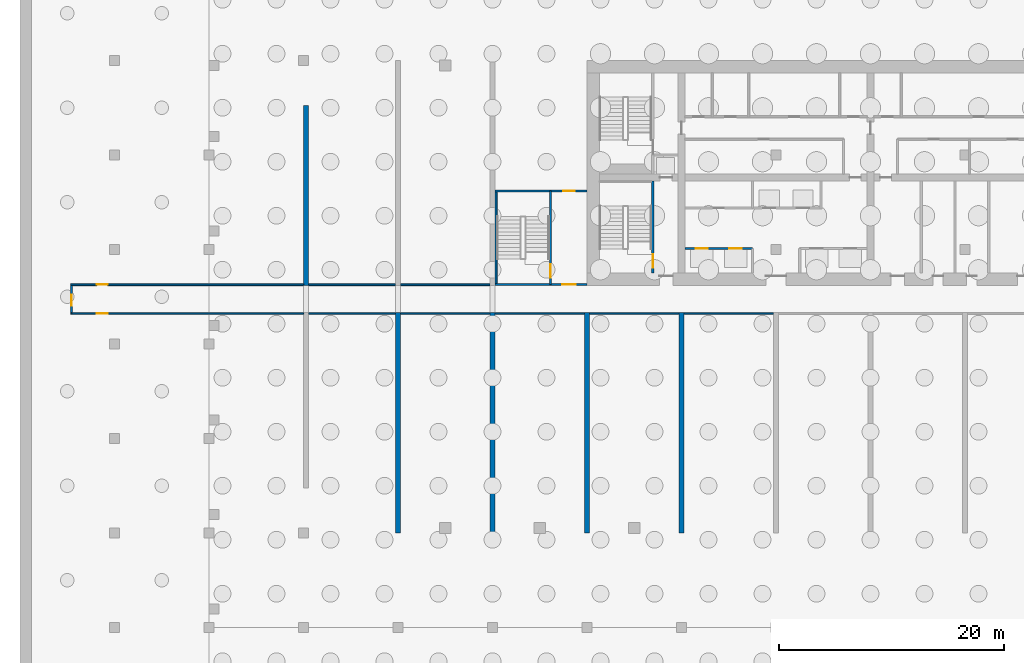
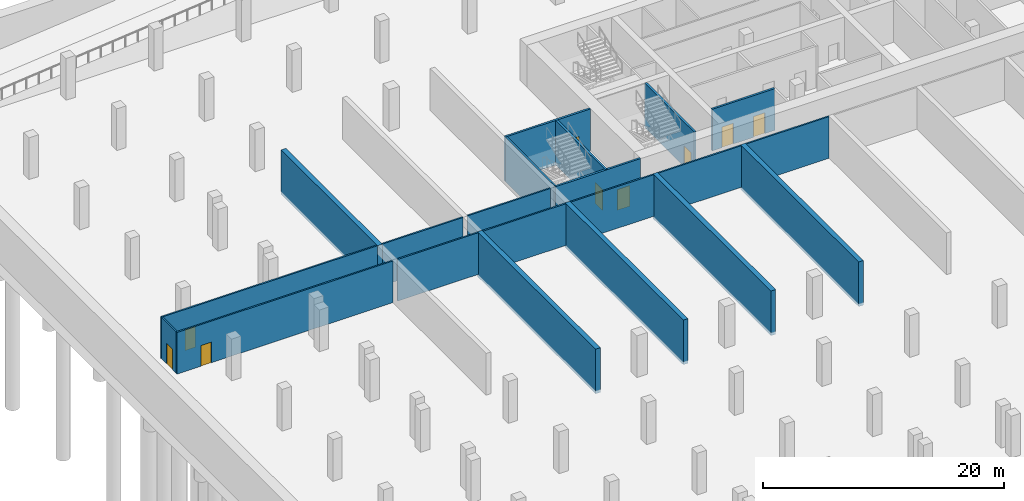
# One storey, part 5 of 17: 21 walls, 9 doors, 9 openings.
"""IFC4 building model written with IfcOpenShell, lengths in metres."""

from ifc_helpers import new_model, si_unit, direction, frame, frame_2d, origin, place, context, subcontext, project, spatial, rectangle, extrude, source, transform, mapped, material, layer, layer_set, type_object, element, fill, save


model = new_model("IFC4")

# Units and contexts
model_context = context("Model", 3, precision=1e-05, world=origin(), true_north=direction((0.0, 1.0)))
body_context = subcontext(model_context, "Body", "Model", "MODEL_VIEW")
ifc_project = project(units=[si_unit("LENGTHUNIT", "METRE"), si_unit("AREAUNIT", "SQUARE_METRE"), si_unit("VOLUMEUNIT", "CUBIC_METRE"), si_unit("PLANEANGLEUNIT", "RADIAN"), si_unit("MASSUNIT", "GRAM", prefix="KILO")], contexts=[model_context])

# Site, building, storey
site_placement = place(None, origin())
site = spatial("IfcSite", under=ifc_project, at=site_placement, CompositionType="ELEMENT")
building_placement = place(site_placement, origin())
building = spatial("IfcBuilding", under=site, at=building_placement, Name="Vanashikhar Sky Hotel", CompositionType="ELEMENT")
storey_placement = place(building_placement, frame((0.0, 0.0, -13.5)))
storey = spatial("IfcBuildingStorey", under=building, at=storey_placement, Name="B3", CompositionType="ELEMENT", Elevation=-13.5)

# Walls
ifc_material_1 = material(Name="Concrete M80", Category="concrete")
ifc_layer_1 = layer(ifc_material_1, 0.449951171875)
ifc_layer_set_1 = layer_set([ifc_layer_1], Name="RC shear wall 450 Concrete M80")
wall_type_1 = type_object("IfcWallType", Name="RC shear wall 450 Concrete M80", PredefinedType="SHEAR", material=ifc_layer_set_1)
shared_shape_1 = source(origin(), body_context, "Body", "SweptSolid", [
    extrude(rectangle(XDim=16.0, YDim=0.449951171875, at=frame_2d((8.0, 0.0))), origin(), (0.0, 0.0, 1.0), 4.52001953125),
])
wall_1_placement = place(storey_placement, frame((0.22509765625, 22.0, -0.300048828125), z_axis=(0.0, 0.0, 1.0), x_axis=(0.0, 1.0, 0.0)))
element("IfcWall", 1, at=wall_1_placement, inside=storey, type_object=wall_type_1, Name="CW-B3-XW01-2", PredefinedType="SHEAR", context=body_context, shape_type="MappedRepresentation", body=[
    mapped(shared_shape_1, transform((0.0, 0.0, 0.0), scale=1.0)),
])
shared_shape_2 = source(origin(), body_context, "Body", "SweptSolid", [
    extrude(rectangle(XDim=19.60009765625, YDim=0.449951171875, at=frame_2d((9.800048828125, 0.0))), origin(), (0.0, 0.0, 1.0), 4.52001953125),
])
for number, where, z_axis, x_axis, name in (
    (2, (8.39990234375, 0.0, -0.300048828125), (0.0, 0.0, 1.0), (0.0, 1.0, 0.0), "CW-B3-XW02-1"),
    (3, (16.800048828125, 0.0, -0.300048828125), (0.0, 0.0, 1.0), (0.0, 1.0, 0.0), "CW-B3-XW03-1"),
    (4, (25.199951171875, 0.0, -0.300048828125), (0.0, 0.0, 1.0), (0.0, 1.0, 0.0), "CW-B3-XW04-1"),
    (5, (33.60009765625, 0.0, -0.300048828125), (0.0, 0.0, 1.0), (0.0, 1.0, 0.0), "CW-B3-XW05-1"),
):
    element("IfcWall", number, at=place(storey_placement, frame(where, z_axis=z_axis, x_axis=x_axis)), inside=storey, type_object=wall_type_1, Name=name, PredefinedType="SHEAR", context=body_context, shape_type="MappedRepresentation", body=[
        mapped(shared_shape_2, transform((0.0, 0.0, 0.0), scale=1.0)),
    ])

# Wall, openings, doors
ifc_material_2 = material(Name="Concrete M40", Category="concrete")
ifc_layer_2 = layer(ifc_material_2, 0.199951171875)
ifc_layer_set_2 = layer_set([ifc_layer_2], Name="Shaft wall 200")
wall_type_2 = type_object("IfcWallType", Name="Shaft wall 200", PredefinedType="SOLIDWALL", material=ifc_layer_set_2)
shared_shape_3 = source(origin(), body_context, "Body", "SweptSolid", [
    extrude(rectangle(XDim=6.0, YDim=0.199951171875, at=frame_2d((3.0, 0.0))), origin(), (0.0, 0.0, 1.0), 4.219970703125),
])
wall_2_placement = place(storey_placement, frame((33.89990234375, 25.300048828125, 0.0), z_axis=(0.0, 0.0, 1.0), x_axis=(1.0, 0.0, 0.0)))
wall_2 = element("IfcWall", 6, at=wall_2_placement, inside=storey, type_object=wall_type_2, Name="Shaft wall 200", PredefinedType="SOLIDWALL", context=body_context, shape_type="MappedRepresentation", body=[
    mapped(shared_shape_3, transform((0.0, 0.0, 0.0), scale=1.0)),
])
shared_shape_4 = source(origin(), body_context, "Body", "SweptSolid", [
    extrude(rectangle(XDim=1.10009765625, YDim=2.10009765625, at=frame_2d((0.550048828125, 1.050048828125))), frame((0.0, 0.10986328125, 0.0), z_axis=(0.0, -1.0, 0.0), x_axis=(1.0, 0.0, 0.0)), (0.0, 0.0, 1.0), 0.219970703125),
])
opening_1_placement = place(wall_2_placement, frame((0.949951171875, 0.0, 0.0)))
opening_1 = element("IfcOpeningElement", 7, at=opening_1_placement, cuts=wall_2, Name="Opening LD", PredefinedType="OPENING", context=body_context, shape_type="MappedRepresentation", body=[
    mapped(shared_shape_4, transform((0.0, 0.0, 0.0), scale=1.0)),
])
opening_2_placement = place(wall_2_placement, frame((3.949951171875, 0.0, 0.0)))
opening_2 = element("IfcOpeningElement", 8, at=opening_2_placement, cuts=wall_2, Name="Opening LD", PredefinedType="OPENING", context=body_context, shape_type="MappedRepresentation", body=[
    mapped(shared_shape_4, transform((0.0, 0.0, 0.0), scale=1.0)),
])
ifc_material_3 = material(Name="Stainless steel", Category="steel")
door_type_1 = type_object("IfcDoorType", Name="Lift landing door 1100", OperationType="NOTDEFINED", PredefinedType="DOOR", material=ifc_material_3)
shared_shape_5 = source(origin(), body_context, "Body", "SweptSolid", [
    extrude(rectangle(XDim=1.10009765625, YDim=2.10009765625, at=frame_2d((0.550048828125, 1.050048828125))), frame((0.0, 0.02490234375, 0.0), z_axis=(0.0, -1.0, 0.0), x_axis=(1.0, 0.0, 0.0)), (0.0, 0.0, 1.0), 0.050048828125),
])
door_1_placement = place(opening_1_placement, origin())
door_1 = element("IfcDoor", 9, at=door_1_placement, inside=storey, type_object=door_type_1, Name="Lift landing door 1100", OperationType="SLIDING_TO_LEFT", OverallHeight=2.10009765625, OverallWidth=1.10009765625, PredefinedType="DOOR", context=body_context, shape_type="MappedRepresentation", body=[
    mapped(shared_shape_5, transform((0.0, 0.0, 0.0), scale=1.0)),
])
fill(opening_1, door_1)
door_2_placement = place(opening_2_placement, origin())
door_2 = element("IfcDoor", 10, at=door_2_placement, inside=storey, type_object=door_type_1, Name="Lift landing door 1100", OperationType="SLIDING_TO_RIGHT", OverallHeight=2.10009765625, OverallWidth=1.10009765625, PredefinedType="DOOR", context=body_context, shape_type="MappedRepresentation", body=[
    mapped(shared_shape_5, transform((0.0, 0.0, 0.0), scale=1.0)),
])
fill(opening_2, door_2)

# Wall, opening, door
ifc_material_4 = material(Name="Concrete M50", Category="concrete")
ifc_layer_3 = layer(ifc_material_4, 0.199951171875)
ifc_layer_set_3 = layer_set([ifc_layer_3], Name="Stair wall 200")
wall_type_3 = type_object("IfcWallType", Name="Stair wall 200", PredefinedType="SOLIDWALL", material=ifc_layer_set_3)
shared_shape_6 = source(origin(), body_context, "Body", "SweptSolid", [
    extrude(rectangle(XDim=8.199951171875, YDim=0.199951171875, at=frame_2d((4.10009765625, 0.0))), origin(), (0.0, 0.0, 1.0), 4.52001953125),
])
wall_3_placement = place(storey_placement, frame((31.050048828125, 23.10009765625, -0.300048828125), z_axis=(0.0, 0.0, 1.0), x_axis=(0.0, 1.0, 0.0)))
wall_3 = element("IfcWall", 11, at=wall_3_placement, inside=storey, type_object=wall_type_3, Name="Stair wall 200", PredefinedType="SOLIDWALL", context=body_context, shape_type="MappedRepresentation", body=[
    mapped(shared_shape_6, transform((0.0, 0.0, 0.0), scale=1.0)),
])
shared_shape_7 = source(origin(), body_context, "Body", "SweptSolid", [
    extrude(rectangle(XDim=1.199951171875, YDim=2.10009765625, at=frame_2d((0.60009765625, 1.050048828125))), frame((0.0, 0.10986328125, 0.0), z_axis=(0.0, -1.0, 0.0), x_axis=(1.0, 0.0, 0.0)), (0.0, 0.0, 1.0), 0.219970703125),
])
opening_3_placement = place(wall_3_placement, frame((0.5, 0.0, 0.0)))
opening_3 = element("IfcOpeningElement", 12, at=opening_3_placement, cuts=wall_3, Name="Opening DC-1", PredefinedType="OPENING", context=body_context, shape_type="MappedRepresentation", body=[
    mapped(shared_shape_7, transform((0.0, 0.0, 0.0), scale=1.0)),
])
ifc_material_5 = material(Name="Steel", Category="steel")
door_type_2 = type_object("IfcDoorType", Name="Stair door 1200 FD120", OperationType="NOTDEFINED", PredefinedType="DOOR", material=ifc_material_5)
shared_shape_8 = source(origin(), body_context, "Body", "SweptSolid", [
    extrude(rectangle(XDim=1.199951171875, YDim=2.10009765625, at=frame_2d((0.60009765625, 1.050048828125))), frame((0.0, 0.02490234375, 0.0), z_axis=(0.0, -1.0, 0.0), x_axis=(1.0, 0.0, 0.0)), (0.0, 0.0, 1.0), 0.050048828125),
])
door_3_placement = place(opening_3_placement, origin())
door_3 = element("IfcDoor", 13, at=door_3_placement, inside=storey, type_object=door_type_2, Name="Stair door 1200 FD120", OperationType="SINGLE_SWING_RIGHT", OverallHeight=2.10009765625, OverallWidth=1.199951171875, PredefinedType="DOOR", context=body_context, shape_type="MappedRepresentation", body=[
    mapped(shared_shape_8, transform((0.0, 0.0, 0.0), scale=1.0)),
])
fill(opening_3, door_3)

shared_shape_9 = source(origin(), body_context, "Body", "SweptSolid", [
    extrude(rectangle(XDim=8.2998046875, YDim=0.199951171875, at=frame_2d((4.14990234375, 0.0))), origin(), (0.0, 0.0, 1.0), 4.52001953125),
])
wall_4_placement = place(storey_placement, frame((21.949951171875, 22.10009765625, -0.300048828125), z_axis=(0.0, 0.0, 1.0), x_axis=(0.0, 1.0, 0.0)))
wall_4 = element("IfcWall", 14, at=wall_4_placement, inside=storey, type_object=wall_type_3, Name="Stair wall 200", PredefinedType="SOLIDWALL", context=body_context, shape_type="MappedRepresentation", body=[
    mapped(shared_shape_9, transform((0.0, 0.0, 0.0), scale=1.0)),
])
opening_4_placement = place(wall_4_placement, frame((0.60009765625, 0.0, 0.0)))
opening_4 = element("IfcOpeningElement", 15, at=opening_4_placement, cuts=wall_4, Name="Opening DC-1", PredefinedType="OPENING", context=body_context, shape_type="MappedRepresentation", body=[
    mapped(shared_shape_7, transform((0.0, 0.0, 0.0), scale=1.0)),
])
door_4_placement = place(opening_4_placement, origin())
door_4 = element("IfcDoor", 16, at=door_4_placement, inside=storey, type_object=door_type_2, Name="Stair door 1200 FD120", OperationType="SINGLE_SWING_LEFT", OverallHeight=2.10009765625, OverallWidth=1.199951171875, PredefinedType="DOOR", context=body_context, shape_type="MappedRepresentation", body=[
    mapped(shared_shape_8, transform((0.0, 0.0, 0.0), scale=1.0)),
])
fill(opening_4, door_4)

shared_shape_10 = source(origin(), body_context, "Body", "SweptSolid", [
    extrude(rectangle(XDim=8.175048828125, YDim=0.199951171875, at=frame_2d((4.08740234375, 0.0))), origin(), (0.0, 0.0, 1.0), 4.52001953125),
])
wall_5_placement = place(storey_placement, frame((17.02490234375, 22.10009765625, -0.300048828125), z_axis=(0.0, 0.0, 1.0), x_axis=(1.0, 0.0, 0.0)))
wall_5 = element("IfcWall", 17, at=wall_5_placement, inside=storey, type_object=wall_type_3, Name="Stair wall 200", PredefinedType="SOLIDWALL", context=body_context, shape_type="MappedRepresentation", body=[
    mapped(shared_shape_10, transform((0.0, 0.0, 0.0), scale=1.0)),
])
opening_5_placement = place(wall_5_placement, frame((5.97509765625, 0.0, 0.0)))
opening_5 = element("IfcOpeningElement", 18, at=opening_5_placement, cuts=wall_5, Name="Opening DC-2", PredefinedType="OPENING", context=body_context, shape_type="MappedRepresentation", body=[
    mapped(shared_shape_7, transform((0.0, 0.0, 0.0), scale=1.0)),
])
door_type_3 = type_object("IfcDoorType", Name="Firefighting lobby door 1200 FD120", OperationType="NOTDEFINED", PredefinedType="DOOR", material=ifc_material_5)
door_5_placement = place(opening_5_placement, origin())
door_5 = element("IfcDoor", 19, at=door_5_placement, inside=storey, type_object=door_type_3, Name="Firefighting lobby door 1200 FD120", OperationType="SINGLE_SWING_RIGHT", OverallHeight=2.10009765625, OverallWidth=1.199951171875, PredefinedType="DOOR", context=body_context, shape_type="MappedRepresentation", body=[
    mapped(shared_shape_8, transform((0.0, 0.0, 0.0), scale=1.0)),
])
fill(opening_5, door_5)

wall_6_placement = place(storey_placement, frame((17.02490234375, 30.39990234375, -0.300048828125), z_axis=(0.0, 0.0, 1.0), x_axis=(1.0, 0.0, 0.0)))
wall_6 = element("IfcWall", 20, at=wall_6_placement, inside=storey, type_object=wall_type_3, Name="Stair wall 200", PredefinedType="SOLIDWALL", context=body_context, shape_type="MappedRepresentation", body=[
    mapped(shared_shape_10, transform((0.0, 0.0, 0.0), scale=1.0)),
])
shared_shape_11 = source(origin(), body_context, "Body", "SweptSolid", [
    extrude(rectangle(XDim=1.0, YDim=2.10009765625, at=frame_2d((0.5, 1.050048828125))), frame((0.0, 0.10986328125, 0.0), z_axis=(0.0, -1.0, 0.0), x_axis=(1.0, 0.0, 0.0)), (0.0, 0.0, 1.0), 0.219970703125),
])
opening_6_placement = place(wall_6_placement, frame((6.074951171875, 0.0, 0.0)))
opening_6 = element("IfcOpeningElement", 21, at=opening_6_placement, cuts=wall_6, Name="Opening DC-6", PredefinedType="OPENING", context=body_context, shape_type="MappedRepresentation", body=[
    mapped(shared_shape_11, transform((0.0, 0.0, 0.0), scale=1.0)),
])
door_type_4 = type_object("IfcDoorType", Name="Pocket door 1000 FD60", OperationType="NOTDEFINED", PredefinedType="DOOR", material=ifc_material_5)
shared_shape_12 = source(origin(), body_context, "Body", "SweptSolid", [
    extrude(rectangle(XDim=1.0, YDim=2.10009765625, at=frame_2d((0.5, 1.050048828125))), frame((0.0, 0.02490234375, 0.0), z_axis=(0.0, -1.0, 0.0), x_axis=(1.0, 0.0, 0.0)), (0.0, 0.0, 1.0), 0.050048828125),
])
door_6_placement = place(opening_6_placement, origin())
door_6 = element("IfcDoor", 22, at=door_6_placement, inside=storey, type_object=door_type_4, Name="Pocket door 1000 FD60", OperationType="SINGLE_SWING_RIGHT", OverallHeight=2.10009765625, OverallWidth=1.0, PredefinedType="DOOR", context=body_context, shape_type="MappedRepresentation", body=[
    mapped(shared_shape_12, transform((0.0, 0.0, 0.0), scale=1.0)),
])
fill(opening_6, door_6)

# Wall
ifc_layer_4 = layer(ifc_material_4, 0.175048828125)
ifc_layer_set_4 = layer_set([ifc_layer_4], Name="Stair infill wall 175")
wall_type_4 = type_object("IfcWallType", Name="Stair infill wall 175", PredefinedType="SOLIDWALL", material=ifc_layer_set_4)
shared_shape_13 = source(origin(), body_context, "Body", "SweptSolid", [
    extrude(rectangle(XDim=8.10009765625, YDim=0.175048828125, at=frame_2d((4.050048828125, 0.0))), origin(), (0.0, 0.0, 1.0), 4.52001953125),
])
wall_7_placement = place(storey_placement, frame((17.112060546875, 22.199951171875, -0.300048828125), z_axis=(0.0, 0.0, 1.0), x_axis=(0.0, 1.0, 0.0)))
element("IfcWall", 23, at=wall_7_placement, inside=storey, type_object=wall_type_4, Name="Stair infill wall 175", PredefinedType="SOLIDWALL", context=body_context, shape_type="MappedRepresentation", body=[
    mapped(shared_shape_13, transform((0.0, 0.0, 0.0), scale=1.0)),
])

# Wall, opening, door
ifc_material_6 = material(Name="Concrete M30", Category="concrete")
ifc_layer_5 = layer(ifc_material_6, 0.14990234375)
ifc_layer_set_5 = layer_set([ifc_layer_5], Name="Car park partition 150 mm")
wall_type_5 = type_object("IfcWallType", Name="Car park partition 150 mm", PredefinedType="PARTITIONING", material=ifc_layer_set_5)
shared_shape_14 = source(origin(), body_context, "Body", "SweptSolid", [
    extrude(rectangle(XDim=2.39990234375, YDim=0.14990234375, at=frame_2d((1.199951171875, 0.0))), origin(), (0.0, 0.0, 1.0), 4.219970703125),
])
wall_8_placement = place(storey_placement, frame((-20.625, 19.60009765625, 0.0), z_axis=(0.0, 0.0, 1.0), x_axis=(0.0, 1.0, 0.0)))
wall_8 = element("IfcWall", 24, at=wall_8_placement, inside=storey, type_object=wall_type_5, Name="Car park partition", PredefinedType="PARTITIONING", context=body_context, shape_type="MappedRepresentation", body=[
    mapped(shared_shape_14, transform((0.0, 0.0, 0.0), scale=1.0)),
])
shared_shape_15 = source(origin(), body_context, "Body", "SweptSolid", [
    extrude(rectangle(XDim=1.0, YDim=2.10009765625, at=frame_2d((0.5, 1.050048828125))), frame((0.0, 0.0849609375, 0.0), z_axis=(0.0, -1.0, 0.0), x_axis=(1.0, 0.0, 0.0)), (0.0, 0.0, 1.0), 0.169921875),
])
opening_7_placement = place(wall_8_placement, frame((0.60009765625, 0.0, 0.0)))
opening_7 = element("IfcOpeningElement", 25, at=opening_7_placement, cuts=wall_8, Name="Opening PD-05", PredefinedType="OPENING", context=body_context, shape_type="MappedRepresentation", body=[
    mapped(shared_shape_15, transform((0.0, 0.0, 0.0), scale=1.0)),
])
ifc_material_7 = material(Name="Steel S355", Category="steel")
door_type_5 = type_object("IfcDoorType", Name="Car park lobby door 1000 FD120", OperationType="NOTDEFINED", PredefinedType="DOOR", material=ifc_material_7)
door_7_placement = place(opening_7_placement, origin())
door_7 = element("IfcDoor", 26, at=door_7_placement, inside=storey, type_object=door_type_5, Name="Car park lobby door", OperationType="SINGLE_SWING_LEFT", OverallHeight=2.10009765625, OverallWidth=1.0, PredefinedType="DOOR", context=body_context, shape_type="MappedRepresentation", body=[
    mapped(shared_shape_12, transform((0.0, 0.0, 0.0), scale=1.0)),
])
fill(opening_7, door_7)

shared_shape_16 = source(origin(), body_context, "Body", "SweptSolid", [
    extrude(rectangle(XDim=20.699951171875, YDim=0.14990234375, at=frame_2d((10.35009765625, 0.0))), origin(), (0.0, 0.0, 1.0), 4.219970703125),
])
wall_9_placement = place(storey_placement, frame((-20.699951171875, 19.52490234375, 0.0), z_axis=(0.0, 0.0, 1.0), x_axis=(1.0, 0.0, 0.0)))
wall_9 = element("IfcWall", 27, at=wall_9_placement, inside=storey, type_object=wall_type_5, Name="Car park partition", PredefinedType="PARTITIONING", context=body_context, shape_type="MappedRepresentation", body=[
    mapped(shared_shape_16, transform((0.0, 0.0, 0.0), scale=1.0)),
])
opening_8_placement = place(wall_9_placement, frame((2.300048828125, 0.0, 0.0)))
opening_8 = element("IfcOpeningElement", 28, at=opening_8_placement, cuts=wall_9, Name="Opening PD-01", PredefinedType="OPENING", context=body_context, shape_type="MappedRepresentation", body=[
    mapped(shared_shape_15, transform((0.0, 0.0, 0.0), scale=1.0)),
])
door_8_placement = place(opening_8_placement, origin())
door_8 = element("IfcDoor", 29, at=door_8_placement, inside=storey, type_object=door_type_5, Name="Car park lobby door", OperationType="SINGLE_SWING_LEFT", OverallHeight=2.10009765625, OverallWidth=1.0, PredefinedType="DOOR", context=body_context, shape_type="MappedRepresentation", body=[
    mapped(shared_shape_12, transform((0.0, 0.0, 0.0), scale=1.0)),
])
fill(opening_8, door_8)

wall_10_placement = place(storey_placement, frame((-20.699951171875, 22.074951171875, 0.0), z_axis=(0.0, 0.0, 1.0), x_axis=(1.0, 0.0, 0.0)))
wall_10 = element("IfcWall", 30, at=wall_10_placement, inside=storey, type_object=wall_type_5, Name="Car park partition", PredefinedType="PARTITIONING", context=body_context, shape_type="MappedRepresentation", body=[
    mapped(shared_shape_16, transform((0.0, 0.0, 0.0), scale=1.0)),
])
opening_9_placement = place(wall_10_placement, frame((2.300048828125, 0.0, 0.0)))
opening_9 = element("IfcOpeningElement", 31, at=opening_9_placement, cuts=wall_10, Name="Opening PD-02", PredefinedType="OPENING", context=body_context, shape_type="MappedRepresentation", body=[
    mapped(shared_shape_15, transform((0.0, 0.0, 0.0), scale=1.0)),
])
door_9_placement = place(opening_9_placement, origin())
door_9 = element("IfcDoor", 32, at=door_9_placement, inside=storey, type_object=door_type_5, Name="Car park lobby door", OperationType="SINGLE_SWING_RIGHT", OverallHeight=2.10009765625, OverallWidth=1.0, PredefinedType="DOOR", context=body_context, shape_type="MappedRepresentation", body=[
    mapped(shared_shape_12, transform((0.0, 0.0, 0.0), scale=1.0)),
])
fill(opening_9, door_9)

# Walls
shared_shape_17 = source(origin(), body_context, "Body", "SweptSolid", [
    extrude(rectangle(XDim=7.72509765625, YDim=0.14990234375, at=frame_2d((3.862548828125, 0.0))), origin(), (0.0, 0.0, 1.0), 4.219970703125),
])
for number, where, z_axis, x_axis, name in (
    (33, (0.449951171875, 19.52490234375, 0.0), (0.0, 0.0, 1.0), (1.0, 0.0, 0.0), "Car park partition"),
    (34, (0.449951171875, 22.074951171875, 0.0), (0.0, 0.0, 1.0), (1.0, 0.0, 0.0), "Car park partition"),
):
    element("IfcWall", number, at=place(storey_placement, frame(where, z_axis=z_axis, x_axis=x_axis)), inside=storey, type_object=wall_type_5, Name=name, PredefinedType="PARTITIONING", context=body_context, shape_type="MappedRepresentation", body=[
        mapped(shared_shape_17, transform((0.0, 0.0, 0.0), scale=1.0)),
    ])
shared_shape_18 = source(origin(), body_context, "Body", "SweptSolid", [
    extrude(rectangle(XDim=7.949951171875, YDim=0.14990234375, at=frame_2d((3.97509765625, 0.0))), origin(), (0.0, 0.0, 1.0), 4.219970703125),
])
for number, where, z_axis, x_axis, name in (
    (35, (8.625, 19.52490234375, 0.0), (0.0, 0.0, 1.0), (1.0, 0.0, 0.0), "Car park partition"),
    (36, (8.625, 22.074951171875, 0.0), (0.0, 0.0, 1.0), (1.0, 0.0, 0.0), "Car park partition"),
    (37, (25.425048828125, 19.52490234375, 0.0), (0.0, 0.0, 1.0), (1.0, 0.0, 0.0), "Car park partition"),
    (38, (33.824951171875, 19.52490234375, 0.0), (0.0, 0.0, 1.0), (1.0, 0.0, 0.0), "Car park partition"),
):
    element("IfcWall", number, at=place(storey_placement, frame(where, z_axis=z_axis, x_axis=x_axis)), inside=storey, type_object=wall_type_5, Name=name, PredefinedType="PARTITIONING", context=body_context, shape_type="MappedRepresentation", body=[
        mapped(shared_shape_18, transform((0.0, 0.0, 0.0), scale=1.0)),
    ])
shared_shape_19 = source(origin(), body_context, "Body", "SweptSolid", [
    extrude(rectangle(XDim=7.9501953125, YDim=0.14990234375, at=frame_2d((3.97509765625, 0.0))), origin(), (0.0, 0.0, 1.0), 4.219970703125),
])
wall_11_placement = place(storey_placement, frame((17.02490234375, 19.52490234375, 0.0), z_axis=(0.0, 0.0, 1.0), x_axis=(1.0, 0.0, 0.0)))
element("IfcWall", 39, at=wall_11_placement, inside=storey, type_object=wall_type_5, Name="Car park partition", PredefinedType="PARTITIONING", context=body_context, shape_type="MappedRepresentation", body=[
    mapped(shared_shape_19, transform((0.0, 0.0, 0.0), scale=1.0)),
])

save(model, "model.ifc")
